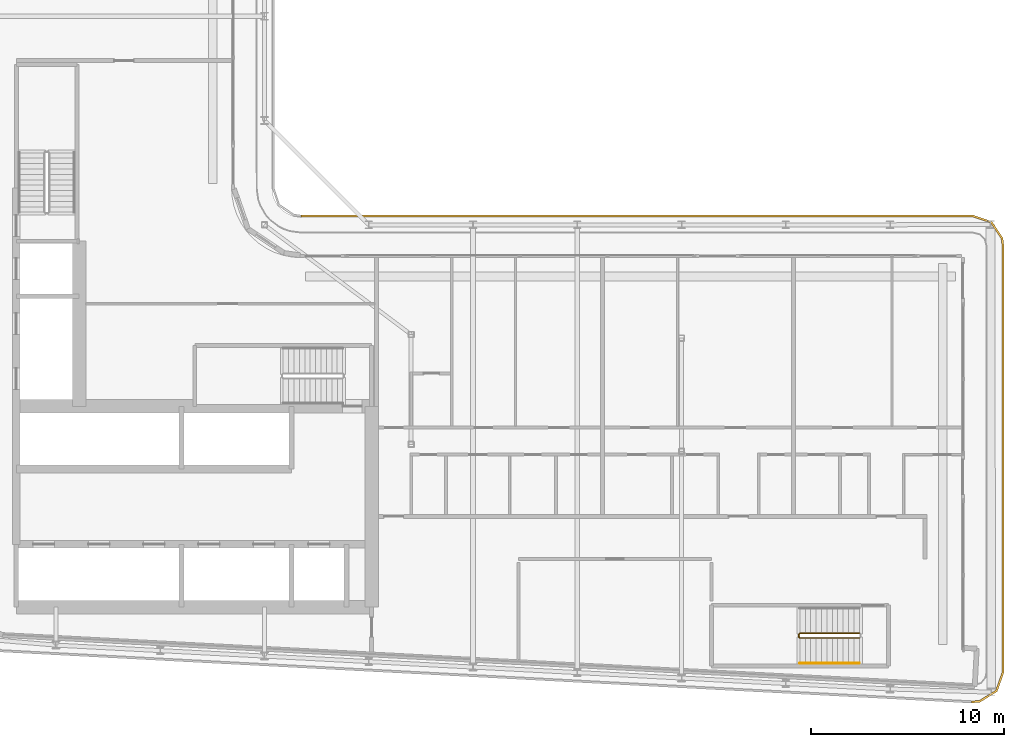
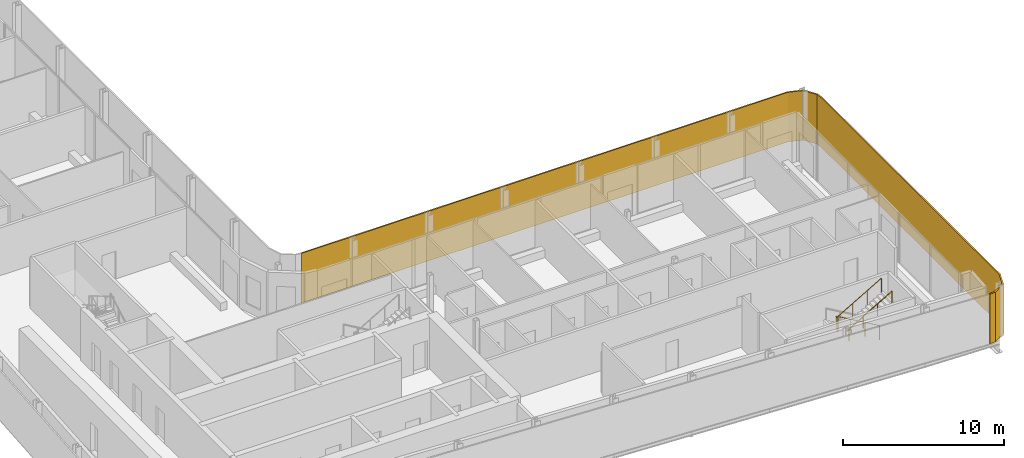
# One storey, part 17 of 21: 2 railings, 1 shading device.
"""IFC4 building model written with IfcOpenShell, lengths in metres."""

from ifc_helpers import new_model, si_unit, direction, frame, origin, origin_2d, place, context, subcontext, project, spatial, polyline, circle, outline, extrude, material, layer, layer_set, type_object, element, save


model = new_model("IFC4")

# Units and contexts
model_context = context("Model", 3, precision=1e-05, world=origin(), true_north=direction((0.0, 1.0)))
body_context = subcontext(model_context, "Body", "Model", "MODEL_VIEW")
ifc_project = project(units=[si_unit("LENGTHUNIT", "METRE"), si_unit("AREAUNIT", "SQUARE_METRE"), si_unit("VOLUMEUNIT", "CUBIC_METRE"), si_unit("PLANEANGLEUNIT", "RADIAN"), si_unit("MASSUNIT", "GRAM", prefix="KILO")], contexts=[model_context])

# Site, building, storey
site_placement = place(None, origin())
site = spatial("IfcSite", under=ifc_project, at=site_placement, CompositionType="ELEMENT")
building_placement = place(site_placement, origin())
building = spatial("IfcBuilding", under=site, at=building_placement, Name="Kheshtan School and Residences Tower", CompositionType="ELEMENT")
storey_placement = place(building_placement, frame((0.0, 0.0, 231.800048828125)))
storey = spatial("IfcBuildingStorey", under=building, at=storey_placement, Name="L54", CompositionType="ELEMENT", Elevation=231.800048828125)

# Shading device
ifc_material_1 = material(Name="Terracotta lattice, extruded ceramic", Category="masonry")
ifc_layer = layer(ifc_material_1, 0.10009765625)
ifc_layer_set = layer_set([ifc_layer], Name="Loggia screen, terracotta lattice")
shading_device_type = type_object("IfcShadingDeviceType", Name="Loggia screen, terracotta lattice", PredefinedType="USERDEFINED", material=ifc_layer_set)
shading_device_placement = place(storey_placement, origin())
element("IfcShadingDevice", 1, at=shading_device_placement, inside=storey, type_object=shading_device_type, Name="Screen L54 2", ObjectType="SCREEN", PredefinedType="USERDEFINED", context=body_context, shape_type="SweptSolid", body=[
    extrude(outline(polyline([(49.5, 46.0), (84.300048828125, 46.0), (85.212890625, 45.68994140625), (85.7490234375, 44.887939453125), (85.800048828125, 44.5), (85.800048828125, 22.43408203125), (85.469970703125, 21.4951171875), (84.6240234375, 20.968994140625), (84.220947265625, 20.93603515625), (84.22900390625, 20.8359375), (84.656005859375, 20.87109375), (85.552978515625, 21.428955078125), (85.89990234375, 22.4169921875), (85.89990234375, 44.507080078125), (85.844970703125, 44.924072265625), (85.277099609375, 45.77392578125), (84.31689453125, 46.10009765625), (49.5, 46.10009765625), (49.5, 46.0)])), origin(), (0.0, 0.0, 1.0), 3.75),
])

# Railings
ifc_material_2 = material(Name="Stainless steel balustrade", Category="steel")
railing_type_1 = type_object("IfcRailingType", Name="Stair guard 1100", PredefinedType="GUARDRAIL", material=ifc_material_2)
railing_1_placement = place(storey_placement, frame((78.409912109375, 24.449951171875, 0.162353515625)))
element("IfcRailing", 2, at=railing_1_placement, inside=storey, type_object=railing_type_1, Name="L54 ST5 stair guard 1", PredefinedType="GUARDRAIL", context=body_context, shape_type="SweptSolid", body=[
    extrude(circle(Radius=0.02392578125, at=origin_2d()), frame((0.0, 0.0, 1.076171875), z_axis=(-0.864873446163, 0.0, 0.501989962173), x_axis=(0.0, -1.0, 0.0)), (0.0, 0.0, 1.0), 3.56103515625),
    extrude(circle(Radius=0.02392578125, at=origin_2d()), frame((-3.079833984375, 0.0, 2.86376953125), z_axis=(-0.707106781187, -0.707106781187, 0.0), x_axis=(0.707106781187, -0.707106781187, 0.0)), (0.0, 0.0, 1.0), 0.07080078125),
    extrude(circle(Radius=0.02392578125, at=origin_2d()), frame((-3.1298828125, -0.050048828125, 2.86376953125), z_axis=(0.0, -1.0, 0.0), x_axis=(1.0, 0.0, 0.0)), (0.0, 0.0, 1.0), 0.14990234375),
    extrude(circle(Radius=0.02392578125, at=origin_2d()), frame((-3.1298828125, -0.199951171875, 2.86376953125), z_axis=(0.282227285176, -0.282227285176, 0.916894497205), x_axis=(0.707106781187, 0.707106781187, 0.0)), (0.0, 0.0, 1.0), 0.17724609375),
    extrude(circle(Radius=0.02392578125, at=origin_2d()), frame((-3.079833984375, -0.25, 3.0263671875), z_axis=(0.864903211148, 0.0, 0.501938676878), x_axis=(0.0, 1.0, 0.0)), (0.0, 0.0, 1.0), 3.560791015625),
    extrude(circle(Radius=0.02099609375, at=origin_2d()), origin(), (0.0, 0.0, 1.0), 1.052001953125),
    extrude(circle(Radius=0.02099609375, at=origin_2d()), frame((-1.026611328125, 0.0, 0.595947265625)), (0.0, 0.0, 1.0), 1.052001953125),
    extrude(circle(Radius=0.02099609375, at=origin_2d()), frame((-2.05322265625, 0.0, 1.191650390625)), (0.0, 0.0, 1.0), 1.052001953125),
    extrude(circle(Radius=0.02099609375, at=origin_2d()), frame((-3.079833984375, 0.0, 1.78759765625)), (0.0, 0.0, 1.0), 1.052001953125),
    extrude(circle(Radius=0.02099609375, at=origin_2d()), frame((-3.1298828125, -0.050048828125, 1.78759765625)), (0.0, 0.0, 1.0), 1.052001953125),
    extrude(circle(Radius=0.02099609375, at=origin_2d()), frame((-3.1298828125, -0.199951171875, 1.78759765625)), (0.0, 0.0, 1.0), 1.052001953125),
    extrude(circle(Radius=0.02099609375, at=origin_2d()), frame((-3.079833984375, -0.25, 1.9501953125)), (0.0, 0.0, 1.0), 1.052001953125),
    extrude(circle(Radius=0.02099609375, at=origin_2d()), frame((-2.05322265625, -0.25, 2.5458984375)), (0.0, 0.0, 1.0), 1.052001953125),
    extrude(circle(Radius=0.02099609375, at=origin_2d()), frame((-1.026611328125, -0.25, 3.141845703125)), (0.0, 0.0, 1.0), 1.052001953125),
    extrude(circle(Radius=0.02099609375, at=origin_2d()), frame((0.0, -0.25, 3.737548828125)), (0.0, 0.0, 1.0), 1.052001953125),
])
ifc_material_3 = material(Name="Stainless steel handrail", Category="steel")
railing_type_2 = type_object("IfcRailingType", Name="Stair handrail 900", PredefinedType="HANDRAIL", material=ifc_material_3)
railing_2_placement = place(storey_placement, frame((75.330078125, 22.89990234375, 2.112548828125)))
element("IfcRailing", 3, at=railing_2_placement, inside=storey, type_object=railing_type_2, Name="L54 ST5 stair handrail 2", PredefinedType="HANDRAIL", context=body_context, shape_type="SweptSolid", body=[
    extrude(circle(Radius=0.02392578125, at=origin_2d()), frame((0.0, 0.0, 0.8759765625), z_axis=(0.864903211148, 0.0, 0.501938676878), x_axis=(0.0, 1.0, 0.0)), (0.0, 0.0, 1.0), 3.560791015625),
    extrude(circle(Radius=0.02099609375, at=origin_2d()), origin(), (0.0, 0.0, 1.0), 0.851806640625),
    extrude(circle(Radius=0.02099609375, at=origin_2d()), frame((1.026611328125, 0.0, 0.595703125)), (0.0, 0.0, 1.0), 0.851806640625),
    extrude(circle(Radius=0.02099609375, at=origin_2d()), frame((2.05322265625, 0.0, 1.191650390625)), (0.0, 0.0, 1.0), 0.851806640625),
    extrude(circle(Radius=0.02099609375, at=origin_2d()), frame((3.079833984375, 0.0, 1.787353515625)), (0.0, 0.0, 1.0), 0.851806640625),
])

save(model, "model.ifc")
